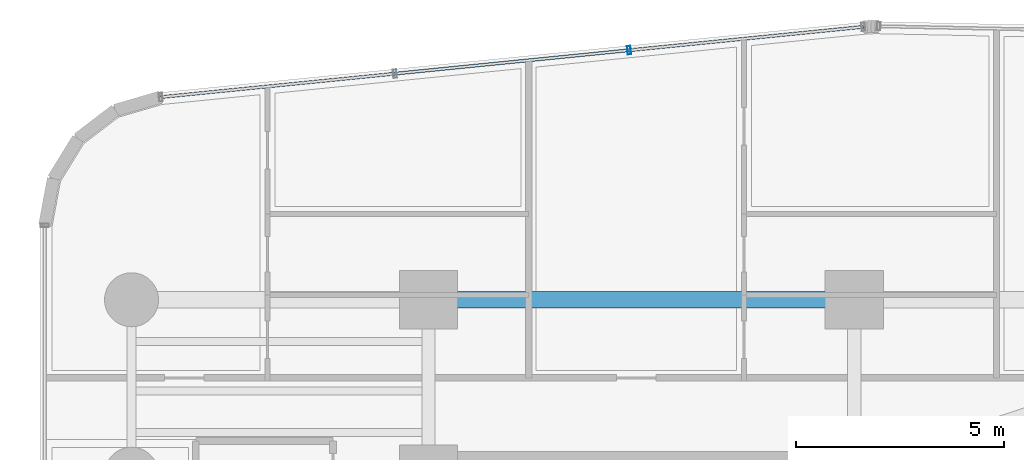
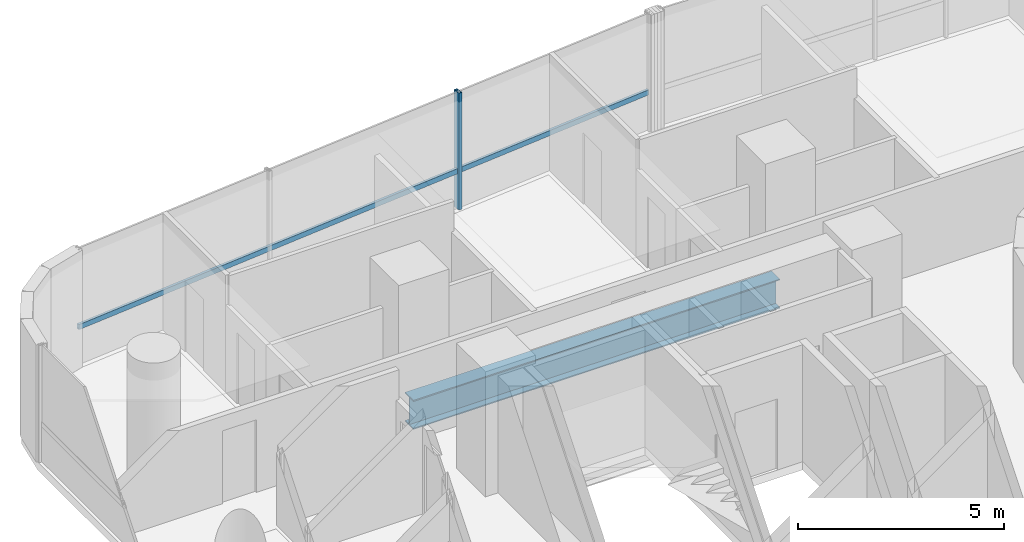
# One storey, part 19 of 41: 2 members, 1 beam, 1 element without a shape of its own.
"""IFC4 building model written with IfcOpenShell, lengths in metres."""

from ifc_helpers import new_model, si_unit, direction, frame, origin, origin_2d, place, context, subcontext, project, spatial, hollow_rectangle, i_section, extrude, source, transform, mapped, material, material_profile, profile_set, type_object, element, aggregate, save


model = new_model("IFC4")

# Units and contexts
model_context = context("Model", 3, precision=1e-05, world=origin(), true_north=direction((0.0, 1.0)))
body_context = subcontext(model_context, "Body", "Model", "MODEL_VIEW")
ifc_project = project(units=[si_unit("LENGTHUNIT", "METRE"), si_unit("AREAUNIT", "SQUARE_METRE"), si_unit("VOLUMEUNIT", "CUBIC_METRE"), si_unit("PLANEANGLEUNIT", "RADIAN"), si_unit("MASSUNIT", "GRAM", prefix="KILO")], contexts=[model_context])

# Site, building, storey
site_placement = place(None, origin())
site = spatial("IfcSite", under=ifc_project, at=site_placement, CompositionType="ELEMENT")
building_placement = place(site_placement, origin())
building = spatial("IfcBuilding", under=site, at=building_placement, Name="Valdorenza Pilgrim Sanctuary Tower", CompositionType="ELEMENT")
storey_placement = place(building_placement, frame((0.0, 0.0, 59.300048828125)))
storey = spatial("IfcBuildingStorey", under=building, at=storey_placement, Name="L14", CompositionType="ELEMENT", Elevation=59.300048828125)

# Beam
ifc_material_1 = material(Name="Steel ASTM A992 Grade 50", Category="steel")
ifc_material_profile_1 = material_profile(ifc_material_1, i_section(OverallWidth=0.39990234375, OverallDepth=0.862060546875, WebThickness=0.019775390625, FlangeThickness=0.032470703125, at=origin_2d()), Name="W33X221")
ifc_profile_set_1 = profile_set([ifc_material_profile_1], Name="Steel ASTM A992 Grade 50")
beam_type = type_object("IfcBeamType", Name="STR-BM-GRD-W33", PredefinedType="BEAM", material=ifc_profile_set_1)
shared_shape_1 = source(origin(), body_context, "Body", "SweptSolid", [
    extrude(i_section(OverallWidth=0.39990234375, OverallDepth=0.862060546875, WebThickness=0.019775390625, FlangeThickness=0.032470703125, at=origin_2d()), origin(), (0.0, 0.0, 1.0), 10.25),
])
beam_placement = place(storey_placement, frame((-22.64990234375, 14.800048828125, -0.671142578125), z_axis=(1.0, 0.0, 0.0), x_axis=(0.0, 1.0, 0.0)))
element("IfcBeam", 1, at=beam_placement, inside=storey, type_object=beam_type, Name="L14 Floor Girder CA-XC-N2", PredefinedType="BEAM", context=body_context, shape_type="MappedRepresentation", body=[
    mapped(shared_shape_1, transform((0.0, 0.0, 0.0), x_axis=(1.0, 0.0, 0.0), y_axis=(0.0, 1.0, 0.0), z_axis=(0.0, 0.0, 1.0), scale=1.0)),
])

# Curtain wall, members
ifc_material_2 = material(Name="Curtain-wall IGU glazing", Category="glass")
curtain_wall_type = type_object("IfcCurtainWallType", Name="CW-SYS-02", PredefinedType="NOTDEFINED", material=ifc_material_2)
curtain_wall_placement = place(storey_placement, origin())
curtain_wall = element("IfcCurtainWall", 2, at=curtain_wall_placement, inside=storey, type_object=curtain_wall_type, Name="L14 Curtain Wall CW-L14-1-6", PredefinedType="NOTDEFINED")
ifc_material_3 = material(Name="Anodised aluminium AW-6060", Category="aluminium")
ifc_material_profile_2 = material_profile(ifc_material_3, hollow_rectangle(XDim=0.0849609375, YDim=0.199951171875, WallThickness=0.0048828125, at=origin_2d()), Name="ALU-M 200x85x5")
ifc_profile_set_2 = profile_set([ifc_material_profile_2], Name="Anodised aluminium AW-6060")
member_type_1 = type_object("IfcMemberType", Name="CW-MUL-02", PredefinedType="MULLION", material=ifc_profile_set_2)
shared_shape_2 = source(origin(), body_context, "Body", "SweptSolid", [
    extrude(hollow_rectangle(XDim=0.0849609375, YDim=0.199951171875, WallThickness=0.0048828125, at=origin_2d()), origin(), (0.0, 0.0, 1.0), 3.4599609375),
])
member_1_placement = place(storey_placement, frame((-17.820556640625, 20.8076171875, 0.0), z_axis=(0.0, 0.0, 1.0), x_axis=(0.995038220239, 0.099493418189, 0.0)))
member_1 = element("IfcMember", 3, at=member_1_placement, type_object=member_type_1, Name="CW-L14-1-6 Mullion 3", PredefinedType="MULLION", context=body_context, shape_type="MappedRepresentation", body=[
    mapped(shared_shape_2, transform((0.0, 0.0, 0.0), x_axis=(1.0, 0.0, 0.0), y_axis=(0.0, 1.0, 0.0), z_axis=(0.0, 0.0, 1.0), scale=1.0)),
])
ifc_material_profile_3 = material_profile(ifc_material_3, hollow_rectangle(XDim=0.074951171875, YDim=0.14990234375, WallThickness=0.00390625, at=origin_2d()), Name="ALU-T 150x75x4")
ifc_profile_set_3 = profile_set([ifc_material_profile_3], Name="Anodised aluminium AW-6060")
member_type_2 = type_object("IfcMemberType", Name="CW-TRN-02", PredefinedType="USERDEFINED", material=ifc_profile_set_3)
shared_shape_3 = source(origin(), body_context, "Body", "SweptSolid", [
    extrude(hollow_rectangle(XDim=0.074951171875, YDim=0.14990234375, WallThickness=0.00390625, at=origin_2d()), origin(), (0.0, 0.0, 1.0), 17.0),
])
member_2_placement = place(storey_placement, frame((-29.097412109375, 19.6796875, 1.119873046875), z_axis=(0.99503662143, 0.099509406661, 0.0), x_axis=(-0.099509406661, 0.99503662143, 0.0)))
member_2 = element("IfcMember", 4, at=member_2_placement, type_object=member_type_2, Name="CW-L14-1-6 Transom 1", ObjectType="TRANSOM", PredefinedType="USERDEFINED", context=body_context, shape_type="MappedRepresentation", body=[
    mapped(shared_shape_3, transform((0.0, 0.0, 0.0), x_axis=(1.0, 0.0, 0.0), y_axis=(0.0, 1.0, 0.0), z_axis=(0.0, 0.0, 1.0), scale=1.0)),
])
aggregate(curtain_wall, [member_1, member_2])

save(model, "model.ifc")
